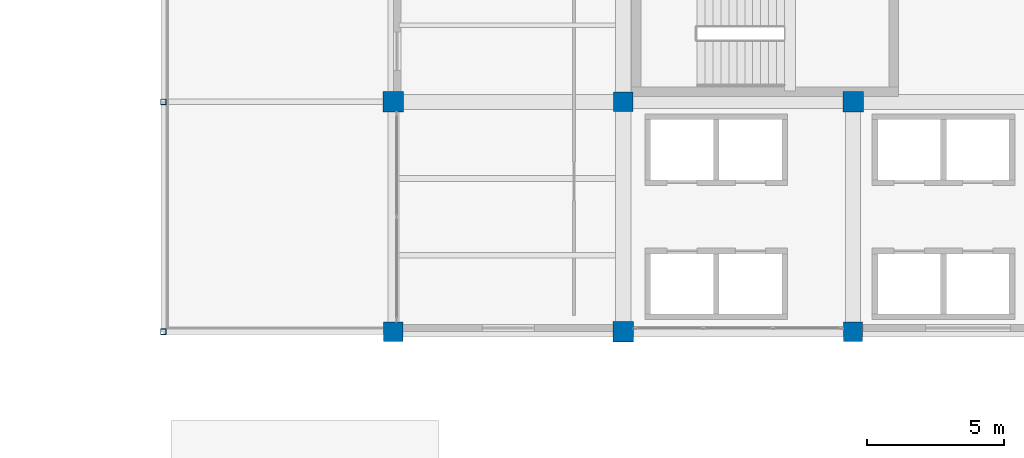
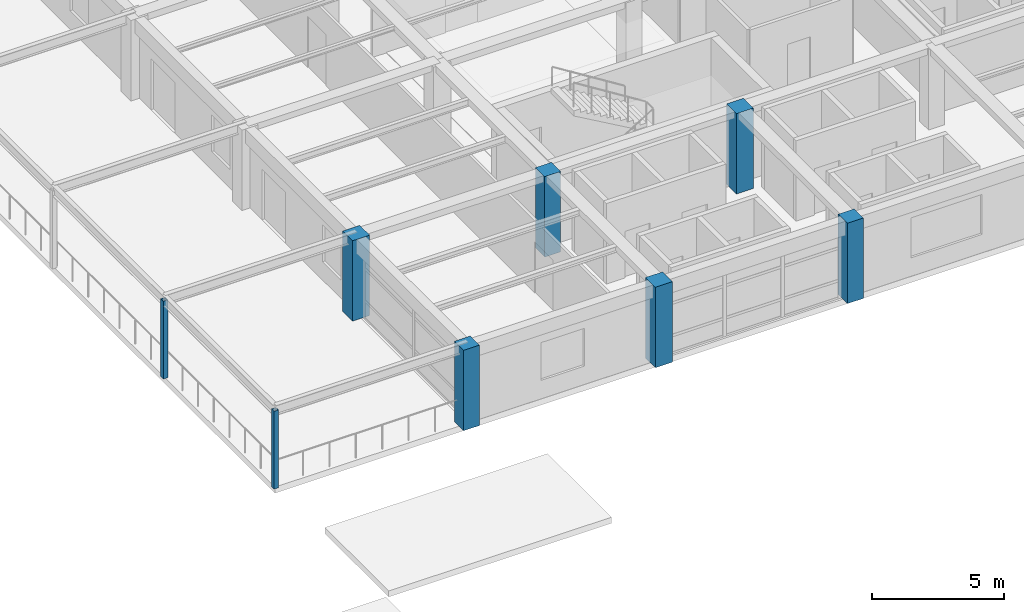
# One storey, part 1 of 35: 8 columns.
"""IFC4 building model written with IfcOpenShell, lengths in metres."""

from ifc_helpers import new_model, si_unit, direction, frame, origin, origin_2d, place, context, subcontext, project, spatial, rectangle, hollow_rectangle, extrude, material, material_profile, profile_set, type_object, element, save


model = new_model("IFC4")

# Units and contexts
model_context = context("Model", 3, precision=1e-05, world=origin(), true_north=direction((0.0, 1.0)))
body_context = subcontext(model_context, "Body", "Model", "MODEL_VIEW")
ifc_project = project(units=[si_unit("LENGTHUNIT", "METRE"), si_unit("AREAUNIT", "SQUARE_METRE"), si_unit("VOLUMEUNIT", "CUBIC_METRE"), si_unit("PLANEANGLEUNIT", "RADIAN"), si_unit("MASSUNIT", "GRAM", prefix="KILO")], contexts=[model_context])

# Site, building, storey
site_placement = place(None, origin())
site = spatial("IfcSite", under=ifc_project, at=site_placement, CompositionType="ELEMENT")
building_placement = place(site_placement, origin())
building = spatial("IfcBuilding", under=site, at=building_placement, Name="Almacenes y Pasaje Nevantli", CompositionType="ELEMENT")
storey_placement = place(building_placement, frame((0.0, 0.0, 26.699951171875)))
storey = spatial("IfcBuildingStorey", under=building, at=storey_placement, Name="L06", CompositionType="ELEMENT", Elevation=26.699951171875)

# Columns
ifc_material_1 = material(Name="Concrete C45/55", Category="concrete")
ifc_material_profile_1 = material_profile(ifc_material_1, rectangle(XDim=0.699951171875, YDim=0.699951171875, at=origin_2d()), Name="RC-COL-700x700")
ifc_profile_set_1 = profile_set([ifc_material_profile_1], Name="Concrete C45/55")
column_type_1 = type_object("IfcColumnType", Name="COL-RC-700", PredefinedType="COLUMN", material=ifc_profile_set_1)
for number, where, z_axis, x_axis, name in (
    (1, (109.199951171875, 67.199951171875, 0.0), (0.0, 0.0, 1.0), (1.0, 0.0, 0.0), "L06 Reinforced Concrete Column CL-06 #2066"),
    (2, (117.60009765625, 75.60009765625, 0.0), (0.0, 0.0, 1.0), (1.0, 0.0, 0.0), "L06 Reinforced Concrete Column CL-06 #2072"),
    (3, (126.0, 67.199951171875, 0.0), (0.0, 0.0, 1.0), (1.0, 0.0, 0.0), "L06 Reinforced Concrete Column CL-06 #2076"),
):
    element("IfcColumn", number, at=place(storey_placement, frame(where, z_axis=z_axis, x_axis=x_axis)), inside=storey, type_object=column_type_1, Name=name, PredefinedType="COLUMN", context=body_context, shape_type="SweptSolid", body=[
        extrude(rectangle(XDim=0.699951171875, YDim=0.699951171875, at=origin_2d()), origin(), (0.0, 0.0, 1.0), 3.719970703125),
    ])
ifc_material_2 = material(Name="Concrete C45/55", Category="concrete")
ifc_material_profile_2 = material_profile(ifc_material_2, rectangle(XDim=0.75, YDim=0.75, at=origin_2d()), Name="RC-COL-750x750")
ifc_profile_set_2 = profile_set([ifc_material_profile_2], Name="Concrete C45/55")
column_type_2 = type_object("IfcColumnType", Name="COL-RC-750", PredefinedType="COLUMN", material=ifc_profile_set_2)
for number, where, z_axis, x_axis, name in (
    (4, (109.199951171875, 75.60009765625, 0.0), (0.0, 0.0, 1.0), (1.0, 0.0, 0.0), "L06 Reinforced Concrete Column CL-05 #2067"),
    (5, (117.60009765625, 67.199951171875, 0.0), (0.0, 0.0, 1.0), (1.0, 0.0, 0.0), "L06 Reinforced Concrete Column CL-05 #2071"),
    (6, (126.0, 75.60009765625, 0.0), (0.0, 0.0, 1.0), (1.0, 0.0, 0.0), "L06 Reinforced Concrete Column CL-05 #2077"),
):
    element("IfcColumn", number, at=place(storey_placement, frame(where, z_axis=z_axis, x_axis=x_axis)), inside=storey, type_object=column_type_2, Name=name, PredefinedType="COLUMN", context=body_context, shape_type="SweptSolid", body=[
        extrude(rectangle(XDim=0.75, YDim=0.75, at=origin_2d()), origin(), (0.0, 0.0, 1.0), 3.719970703125),
    ])
ifc_material_3 = material(Name="Steel ASTM A500 Grade C", Category="steel")
ifc_material_profile_3 = material_profile(ifc_material_3, hollow_rectangle(XDim=0.203125, YDim=0.203125, WallThickness=0.009521484375, at=origin_2d()), Name="OR 203x203x9.5")
ifc_profile_set_3 = profile_set([ifc_material_profile_3], Name="Steel ASTM A500 Grade C")
column_type_3 = type_object("IfcColumnType", Name="COL-STL-OR203", PredefinedType="COLUMN", material=ifc_profile_set_3)
for number, where, z_axis, x_axis, name in (
    (7, (100.800048828125, 67.199951171875, 0.0), (0.0, 0.0, 1.0), (1.0, 0.0, 0.0), "L06 Ziggurat Terrace Pergola Steel Column #2101"),
    (8, (100.800048828125, 75.60009765625, 0.0), (0.0, 0.0, 1.0), (1.0, 0.0, 0.0), "L06 Ziggurat Terrace Pergola Steel Column #2102"),
):
    element("IfcColumn", number, at=place(storey_placement, frame(where, z_axis=z_axis, x_axis=x_axis)), inside=storey, type_object=column_type_3, Name=name, PredefinedType="COLUMN", context=body_context, shape_type="SweptSolid", body=[
        extrude(hollow_rectangle(XDim=0.203125, YDim=0.203125, WallThickness=0.009521484375, at=origin_2d()), origin(), (0.0, 0.0, 1.0), 3.60009765625),
    ])

save(model, "model.ifc")
